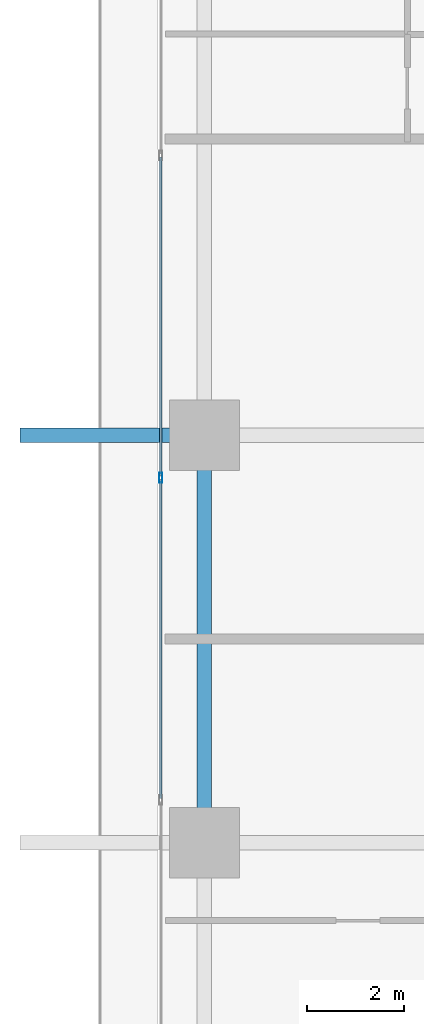
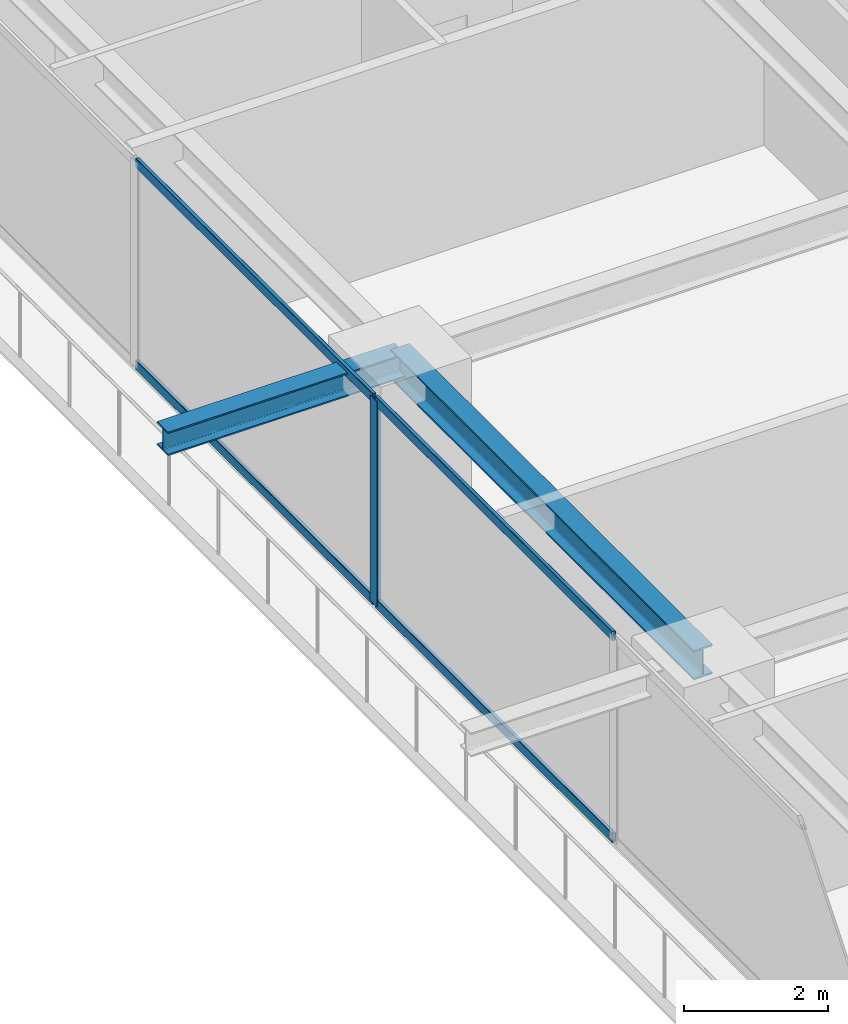
# One storey, part 8 of 38: 5 members, 2 beams, 1 element without a shape of its own.
"""IFC4 building model written with IfcOpenShell, lengths in metres."""

from ifc_helpers import new_model, si_unit, direction, frame, origin, origin_2d, place, context, subcontext, project, spatial, hollow_rectangle, i_section, extrude, source, transform, mapped, material, layer, layer_set, material_profile, profile_set, type_object, element, aggregate, save


model = new_model("IFC4")

# Units and contexts
model_context = context("Model", 3, precision=1e-05, world=origin(), true_north=direction((0.0, 1.0)))
body_context = subcontext(model_context, "Body", "Model", "MODEL_VIEW")
ifc_project = project(units=[si_unit("LENGTHUNIT", "METRE"), si_unit("AREAUNIT", "SQUARE_METRE"), si_unit("VOLUMEUNIT", "CUBIC_METRE"), si_unit("PLANEANGLEUNIT", "RADIAN"), si_unit("MASSUNIT", "GRAM", prefix="KILO")], contexts=[model_context])

# Site, building, storey
site_placement = place(None, origin())
site = spatial("IfcSite", under=ifc_project, at=site_placement, CompositionType="ELEMENT")
building_placement = place(site_placement, origin())
building = spatial("IfcBuilding", under=site, at=building_placement, Name="Serunith Strait Residences", CompositionType="ELEMENT")
storey_placement = place(building_placement, frame((0.0, 0.0, 37.949951171875)))
storey = spatial("IfcBuildingStorey", under=building, at=storey_placement, Name="L08", CompositionType="ELEMENT", Elevation=37.949951171875)

# Beams
ifc_material_1 = material(Name="Steel S355J2", Category="steel")
ifc_material_profile_1 = material_profile(ifc_material_1, i_section(OverallWidth=0.300048828125, OverallDepth=0.5, WebThickness=0.014404296875, FlangeThickness=0.028076171875, FilletRadius=0.027099609375, at=origin_2d()), Name="HEB 500")
ifc_profile_set_1 = profile_set([ifc_material_profile_1], Name="Steel S355J2")
beam_type_1 = type_object("IfcBeamType", Name="BM-HEB500", PredefinedType="BEAM", material=ifc_profile_set_1)
shared_shape_1 = source(origin(), body_context, "Body", "SweptSolid", [
    extrude(i_section(OverallWidth=0.300048828125, OverallDepth=0.5, WebThickness=0.014404296875, FlangeThickness=0.028076171875, FilletRadius=0.027099609375, at=origin_2d()), origin(), (0.0, 0.0, 1.0), 8.39990234375),
])
beam_1_placement = place(storey_placement, frame((6.89990234375, 29.39990234375, 3.237060546875), z_axis=(0.0, -1.0, 0.0), x_axis=(1.0, 0.0, 0.0)))
element("IfcBeam", 1, at=beam_1_placement, inside=storey, type_object=beam_type_1, Name="L08 Perimeter Ring Beam 14", PredefinedType="BEAM", context=body_context, shape_type="MappedRepresentation", body=[
    mapped(shared_shape_1, transform((0.0, 0.0, 0.0), scale=1.0)),
])
ifc_material_profile_2 = material_profile(ifc_material_1, i_section(OverallWidth=0.300048828125, OverallDepth=0.39990234375, WebThickness=0.013427734375, FlangeThickness=0.02392578125, FilletRadius=0.027099609375, at=origin_2d()), Name="HEB 400")
ifc_profile_set_2 = profile_set([ifc_material_profile_2], Name="Steel S355J2")
beam_type_2 = type_object("IfcBeamType", Name="BM-HEB400", PredefinedType="BEAM", material=ifc_profile_set_2)
shared_shape_2 = source(origin(), body_context, "Body", "SweptSolid", [
    extrude(i_section(OverallWidth=0.300048828125, OverallDepth=0.39990234375, WebThickness=0.013427734375, FlangeThickness=0.02392578125, FilletRadius=0.027099609375, at=origin_2d()), origin(), (0.0, 0.0, 1.0), 3.7998046875),
])
beam_2_placement = place(storey_placement, frame((6.89990234375, 29.39990234375, 3.257080078125), z_axis=(-1.0, 0.0, 0.0), x_axis=(0.0, -1.0, 0.0)))
element("IfcBeam", 2, at=beam_2_placement, inside=storey, type_object=beam_type_2, Name="L09 Cantilevered Balcony Rib TC-W3", PredefinedType="BEAM", context=body_context, shape_type="MappedRepresentation", body=[
    mapped(shared_shape_2, transform((0.0, 0.0, 0.0), scale=1.0)),
])

# Curtain wall, members
ifc_material_2 = material(Name="Pale-Champagne Anodised Aluminium", Category="aluminium")
ifc_layer = layer(ifc_material_2, 0.199951171875, Name="Pale-Champagne Anodised Aluminium")
ifc_layer_set = layer_set([ifc_layer], Name="Pale-Champagne Anodised Aluminium")
curtain_wall_type = type_object("IfcCurtainWallType", Name="CW-SYS1", PredefinedType="NOTDEFINED", material=ifc_layer_set)
curtain_wall_placement = place(storey_placement, origin())
curtain_wall = element("IfcCurtainWall", 3, at=curtain_wall_placement, inside=storey, type_object=curtain_wall_type, Name="L08 W Unitised Fritted Curtain Wall", PredefinedType="NOTDEFINED")
ifc_material_profile_3 = material_profile(ifc_material_2, hollow_rectangle(XDim=0.070068359375, YDim=0.199951171875, WallThickness=0.00390625, InnerFilletRadius=0.006103515625, OuterFilletRadius=0.010009765625, at=origin_2d()), Name="ALU 200x70x4")
ifc_profile_set_3 = profile_set([ifc_material_profile_3], Name="Pale-Champagne Anodised Aluminium")
member_type_1 = type_object("IfcMemberType", Name="CW-SYS1-MULL", PredefinedType="MULLION", material=ifc_profile_set_3)
shared_shape_3 = source(origin(), body_context, "Body", "SweptSolid", [
    extrude(hollow_rectangle(XDim=0.070068359375, YDim=0.199951171875, WallThickness=0.00390625, InnerFilletRadius=0.006103515625, OuterFilletRadius=0.010009765625, at=origin_2d()), origin(), (0.0, 0.0, 1.0), 3.47509765625),
])
member_1_placement = place(storey_placement, frame((6.0, 28.52001953125, 0.0), z_axis=(0.0, 0.0, 1.0), x_axis=(1.0, 0.0, 0.0)))
member_1 = element("IfcMember", 4, at=member_1_placement, type_object=member_type_1, Name="CW-1 mullion 3", PredefinedType="MULLION", context=body_context, shape_type="MappedRepresentation", body=[
    mapped(shared_shape_3, transform((0.0, 0.0, 0.0), scale=1.0)),
])
ifc_material_profile_4 = material_profile(ifc_material_2, hollow_rectangle(XDim=0.06005859375, YDim=0.159912109375, WallThickness=0.00341796875, InnerFilletRadius=0.00537109375, OuterFilletRadius=0.0087890625, at=origin_2d()), Name="ALU 160x60x3.5")
ifc_profile_set_4 = profile_set([ifc_material_profile_4], Name="Pale-Champagne Anodised Aluminium")
member_type_2 = type_object("IfcMemberType", Name="CW-SYS1-TRAN", PredefinedType="USERDEFINED", material=ifc_profile_set_4)
shared_shape_4 = source(origin(), body_context, "Body", "SweptSolid", [
    extrude(hollow_rectangle(XDim=0.06005859375, YDim=0.159912109375, WallThickness=0.00341796875, InnerFilletRadius=0.00537109375, OuterFilletRadius=0.0087890625, at=origin_2d()), origin(), (0.0, 0.0, 1.0), 6.570068359375),
])
member_2_placement = place(storey_placement, frame((6.0, 35.125, 0.030029296875), z_axis=(0.0, -1.0, 0.0), x_axis=(1.0, 0.0, 0.0)))
member_2 = element("IfcMember", 5, at=member_2_placement, type_object=member_type_2, Name="CW-1 transom 2.1", ObjectType="TRANSOM", PredefinedType="USERDEFINED", context=body_context, shape_type="MappedRepresentation", body=[
    mapped(shared_shape_4, transform((0.0, 0.0, 0.0), scale=1.0)),
])
member_3_placement = place(storey_placement, frame((6.0, 35.125, 3.445068359375), z_axis=(0.0, -1.0, 0.0), x_axis=(1.0, 0.0, 0.0)))
member_3 = element("IfcMember", 6, at=member_3_placement, type_object=member_type_2, Name="CW-1 transom 2.2", ObjectType="TRANSOM", PredefinedType="USERDEFINED", context=body_context, shape_type="MappedRepresentation", body=[
    mapped(shared_shape_4, transform((0.0, 0.0, 0.0), scale=1.0)),
])
member_4_placement = place(storey_placement, frame((6.0, 28.485107421875, 0.030029296875), z_axis=(0.0, -1.0, 0.0), x_axis=(1.0, 0.0, 0.0)))
member_4 = element("IfcMember", 7, at=member_4_placement, type_object=member_type_2, Name="CW-1 transom 3.1", ObjectType="TRANSOM", PredefinedType="USERDEFINED", context=body_context, shape_type="MappedRepresentation", body=[
    mapped(shared_shape_4, transform((0.0, 0.0, 0.0), scale=1.0)),
])
member_5_placement = place(storey_placement, frame((6.0, 28.485107421875, 3.445068359375), z_axis=(0.0, -1.0, 0.0), x_axis=(1.0, 0.0, 0.0)))
member_5 = element("IfcMember", 8, at=member_5_placement, type_object=member_type_2, Name="CW-1 transom 3.2", ObjectType="TRANSOM", PredefinedType="USERDEFINED", context=body_context, shape_type="MappedRepresentation", body=[
    mapped(shared_shape_4, transform((0.0, 0.0, 0.0), scale=1.0)),
])
aggregate(curtain_wall, [member_1, member_2, member_3, member_4, member_5])

save(model, "model.ifc")
